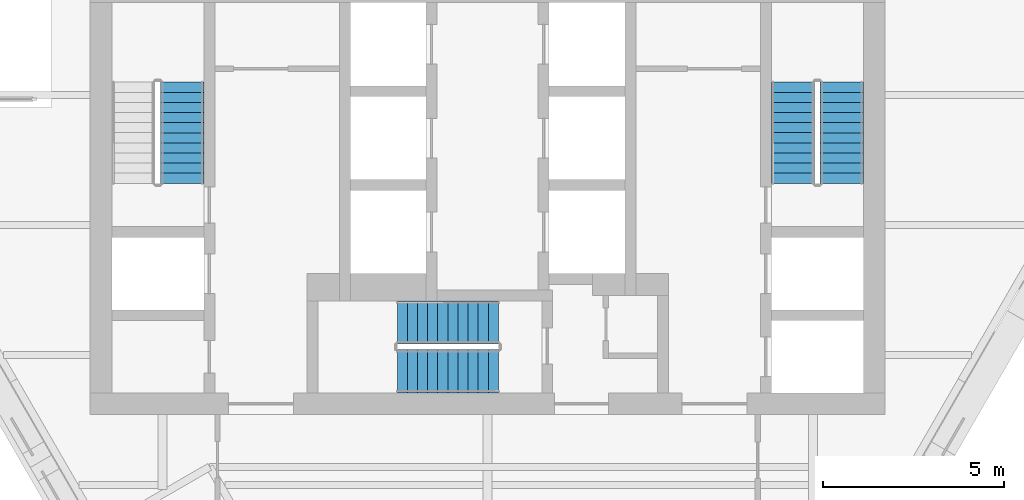
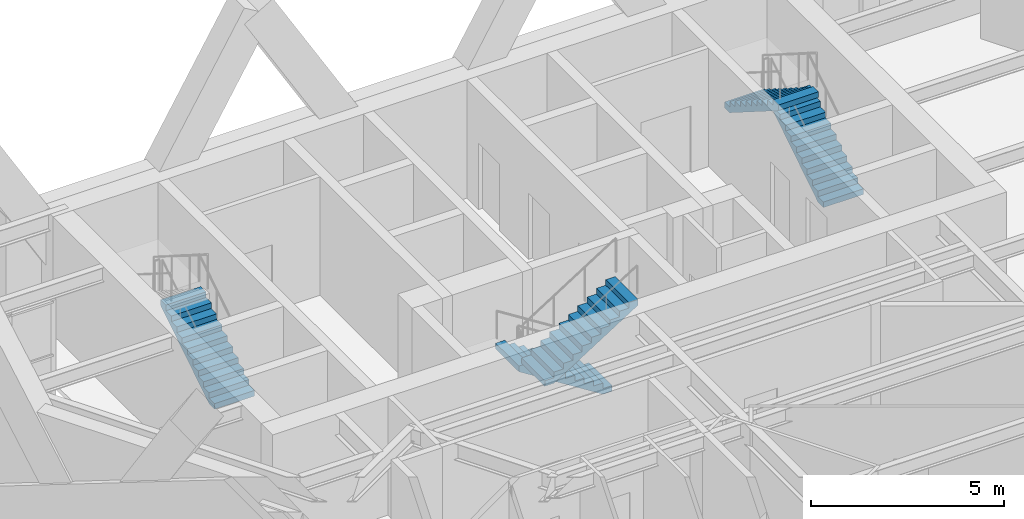
# One storey, part 7 of 9: 5 stair flights, 3 elements without a shape of their own.
"""IFC4 building model written with IfcOpenShell, lengths in metres."""

from ifc_helpers import new_model, si_unit, direction, frame, origin, place, context, subcontext, project, spatial, polyline, outline, extrude, material, type_object, element, aggregate, save


model = new_model("IFC4")

# Units and contexts
model_context = context("Model", 3, precision=1e-05, world=origin(), true_north=direction((0.0, 1.0)))
body_context = subcontext(model_context, "Body", "Model", "MODEL_VIEW")
ifc_project = project(units=[si_unit("LENGTHUNIT", "METRE"), si_unit("AREAUNIT", "SQUARE_METRE"), si_unit("VOLUMEUNIT", "CUBIC_METRE"), si_unit("PLANEANGLEUNIT", "RADIAN"), si_unit("MASSUNIT", "GRAM", prefix="KILO")], contexts=[model_context])

# Site, building, storey
site_placement = place(None, origin())
site = spatial("IfcSite", under=ifc_project, at=site_placement, CompositionType="ELEMENT")
building_placement = place(site_placement, origin())
building = spatial("IfcBuilding", under=site, at=building_placement, Name="Aloe Facet Convention Tower", CompositionType="ELEMENT")
storey_placement = place(building_placement, frame((0.0, 0.0, 254.300048828125)))
storey = spatial("IfcBuildingStorey", under=building, at=storey_placement, Name="L62", CompositionType="ELEMENT", Elevation=254.300048828125)

# Stair, stair flight
ifc_material_1 = material(Name="Concrete C50/60", Category="concrete")
stair_type = type_object("IfcStairType", Name="CR-ST-22R", PredefinedType="HALF_TURN_STAIR", material=ifc_material_1)
stair_1_placement = place(storey_placement, origin())
stair_1 = element("IfcStair", 1, at=stair_1_placement, inside=storey, type_object=stair_type, Name="L62 Protected exit stair ST1", PredefinedType="HALF_TURN_STAIR")
ifc_material_2 = material(Name="Concrete C50/60", Category="concrete")
stair_flight_type = type_object("IfcStairFlightType", Name="CR-SFL-22R", PredefinedType="STRAIGHT", material=ifc_material_2)
stair_flight_1_placement = place(storey_placement, frame((71.550048828125, 128.949951171875, 0.0), z_axis=(0.0, 0.0, 1.0), x_axis=(0.0, 1.0, 0.0)))
stair_flight_1 = element("IfcStairFlight", 2, at=stair_flight_1_placement, type_object=stair_flight_type, Name="ST1 flight 1", NumberOfRisers=11, NumberOfTreads=10, PredefinedType="STRAIGHT", RiserHeight=0.177272727, TreadLength=0.28, context=body_context, shape_type="SweptSolid", body=[
    extrude(outline(polyline([(0.0, 0.0), (0.0, 0.17724609375), (0.280029296875, 0.17724609375), (0.280029296875, 0.3544921875), (0.56005859375, 0.3544921875), (0.56005859375, 0.53173828125), (0.840087890625, 0.53173828125), (0.840087890625, 0.708984375), (1.1201171875, 0.708984375), (1.1201171875, 0.886474609375), (1.39990234375, 0.886474609375), (1.39990234375, 1.063720703125), (1.679931640625, 1.063720703125), (1.679931640625, 1.240966796875), (1.9599609375, 1.240966796875), (1.9599609375, 1.418212890625), (2.239990234375, 1.418212890625), (2.239990234375, 1.595458984375), (2.52001953125, 1.595458984375), (2.52001953125, 1.772705078125), (2.800048828125, 1.772705078125), (2.800048828125, 1.949951171875), (2.800048828125, 1.59521484375), (0.2802734375, 0.0), (0.0, 0.0)])), frame((0.0, 0.60009765625, 0.0), z_axis=(0.0, -1.0, 0.0), x_axis=(1.0, 0.0, 0.0)), (0.0, 0.0, 1.0), 1.199951171875),
])
aggregate(stair_1, [stair_flight_1])

# Stair, stair flights
stair_2_placement = place(storey_placement, origin())
stair_2 = element("IfcStair", 3, at=stair_2_placement, inside=storey, type_object=stair_type, Name="L62 Protected exit stair ST2", PredefinedType="HALF_TURN_STAIR")
stair_flight_2_placement = place(storey_placement, frame((89.800048828125, 128.949951171875, 0.0), z_axis=(0.0, 0.0, 1.0), x_axis=(0.0, 1.0, 0.0)))
stair_flight_2 = element("IfcStairFlight", 4, at=stair_flight_2_placement, type_object=stair_flight_type, Name="ST2 flight 1", NumberOfRisers=11, NumberOfTreads=10, PredefinedType="STRAIGHT", RiserHeight=0.177272727, TreadLength=0.28, context=body_context, shape_type="SweptSolid", body=[
    extrude(outline(polyline([(0.0, 0.0), (0.0, 0.17724609375), (0.280029296875, 0.17724609375), (0.280029296875, 0.3544921875), (0.56005859375, 0.3544921875), (0.56005859375, 0.53173828125), (0.840087890625, 0.53173828125), (0.840087890625, 0.708984375), (1.1201171875, 0.708984375), (1.1201171875, 0.886474609375), (1.39990234375, 0.886474609375), (1.39990234375, 1.063720703125), (1.679931640625, 1.063720703125), (1.679931640625, 1.240966796875), (1.9599609375, 1.240966796875), (1.9599609375, 1.418212890625), (2.239990234375, 1.418212890625), (2.239990234375, 1.595458984375), (2.52001953125, 1.595458984375), (2.52001953125, 1.772705078125), (2.800048828125, 1.772705078125), (2.800048828125, 1.949951171875), (2.800048828125, 1.59521484375), (0.2802734375, 0.0), (0.0, 0.0)])), frame((0.0, 0.60009765625, 0.0), z_axis=(0.0, -1.0, 0.0), x_axis=(1.0, 0.0, 0.0)), (0.0, 0.0, 1.0), 1.199951171875),
])
stair_flight_3_placement = place(storey_placement, frame((88.449951171875, 131.75, 1.949951171875), z_axis=(0.0, 0.0, 1.0), x_axis=(0.0, -1.0, 0.0)))
stair_flight_3 = element("IfcStairFlight", 5, at=stair_flight_3_placement, type_object=stair_flight_type, Name="ST2 flight 2", NumberOfRisers=11, NumberOfTreads=10, PredefinedType="STRAIGHT", RiserHeight=0.177272727, TreadLength=0.28, context=body_context, shape_type="SweptSolid", body=[
    extrude(outline(polyline([(0.0, 0.0), (0.0, 0.17724609375), (0.280029296875, 0.17724609375), (0.280029296875, 0.3544921875), (0.56005859375, 0.3544921875), (0.56005859375, 0.53173828125), (0.840087890625, 0.53173828125), (0.840087890625, 0.708984375), (1.1201171875, 0.708984375), (1.1201171875, 0.886474609375), (1.39990234375, 0.886474609375), (1.39990234375, 1.063720703125), (1.679931640625, 1.063720703125), (1.679931640625, 1.240966796875), (1.9599609375, 1.240966796875), (1.9599609375, 1.418212890625), (2.239990234375, 1.418212890625), (2.239990234375, 1.595458984375), (2.52001953125, 1.595458984375), (2.52001953125, 1.772705078125), (2.800048828125, 1.772705078125), (2.800048828125, 1.949951171875), (2.800048828125, 1.59521484375), (0.2802734375, 0.0), (0.0, 0.0)])), frame((0.0, 0.60009765625, 0.0), z_axis=(0.0, -1.0, 0.0), x_axis=(1.0, 0.0, 0.0)), (0.0, 0.0, 1.0), 1.199951171875),
])
aggregate(stair_2, [stair_flight_2, stair_flight_3])

stair_3_placement = place(storey_placement, origin())
stair_3 = element("IfcStair", 6, at=stair_3_placement, inside=storey, type_object=stair_type, Name="L62 Protected exit stair ST3", PredefinedType="HALF_TURN_STAIR")
stair_flight_4_placement = place(storey_placement, frame((80.300048828125, 125.10009765625, 0.0), z_axis=(0.0, 0.0, 1.0), x_axis=(-1.0, 0.0, 0.0)))
stair_flight_4 = element("IfcStairFlight", 7, at=stair_flight_4_placement, type_object=stair_flight_type, Name="ST3 flight 1", NumberOfRisers=11, NumberOfTreads=10, PredefinedType="STRAIGHT", RiserHeight=0.177272727, TreadLength=0.28, context=body_context, shape_type="SweptSolid", body=[
    extrude(outline(polyline([(0.0, 0.0), (0.0, 0.17724609375), (0.280029296875, 0.17724609375), (0.280029296875, 0.3544921875), (0.56005859375, 0.3544921875), (0.56005859375, 0.53173828125), (0.840087890625, 0.53173828125), (0.840087890625, 0.708984375), (1.1201171875, 0.708984375), (1.1201171875, 0.886474609375), (1.39990234375, 0.886474609375), (1.39990234375, 1.063720703125), (1.679931640625, 1.063720703125), (1.679931640625, 1.240966796875), (1.9599609375, 1.240966796875), (1.9599609375, 1.418212890625), (2.239990234375, 1.418212890625), (2.239990234375, 1.595458984375), (2.52001953125, 1.595458984375), (2.52001953125, 1.772705078125), (2.800048828125, 1.772705078125), (2.800048828125, 1.949951171875), (2.800048828125, 1.59521484375), (0.2802734375, 0.0), (0.0, 0.0)])), frame((0.0, 0.60009765625, 0.0), z_axis=(0.0, -1.0, 0.0), x_axis=(1.0, 0.0, 0.0)), (0.0, 0.0, 1.0), 1.199951171875),
])
stair_flight_5_placement = place(storey_placement, frame((77.5, 123.75, 1.949951171875), z_axis=(0.0, 0.0, 1.0), x_axis=(1.0, 0.0, 0.0)))
stair_flight_5 = element("IfcStairFlight", 8, at=stair_flight_5_placement, type_object=stair_flight_type, Name="ST3 flight 2", NumberOfRisers=11, NumberOfTreads=10, PredefinedType="STRAIGHT", RiserHeight=0.177272727, TreadLength=0.28, context=body_context, shape_type="SweptSolid", body=[
    extrude(outline(polyline([(0.0, 0.0), (0.0, 0.17724609375), (0.280029296875, 0.17724609375), (0.280029296875, 0.3544921875), (0.56005859375, 0.3544921875), (0.56005859375, 0.53173828125), (0.840087890625, 0.53173828125), (0.840087890625, 0.708984375), (1.1201171875, 0.708984375), (1.1201171875, 0.886474609375), (1.39990234375, 0.886474609375), (1.39990234375, 1.063720703125), (1.679931640625, 1.063720703125), (1.679931640625, 1.240966796875), (1.9599609375, 1.240966796875), (1.9599609375, 1.418212890625), (2.239990234375, 1.418212890625), (2.239990234375, 1.595458984375), (2.52001953125, 1.595458984375), (2.52001953125, 1.772705078125), (2.800048828125, 1.772705078125), (2.800048828125, 1.949951171875), (2.800048828125, 1.59521484375), (0.2802734375, 0.0), (0.0, 0.0)])), frame((0.0, 0.60009765625, 0.0), z_axis=(0.0, -1.0, 0.0), x_axis=(1.0, 0.0, 0.0)), (0.0, 0.0, 1.0), 1.199951171875),
])
aggregate(stair_3, [stair_flight_4, stair_flight_5])

save(model, "model.ifc")
